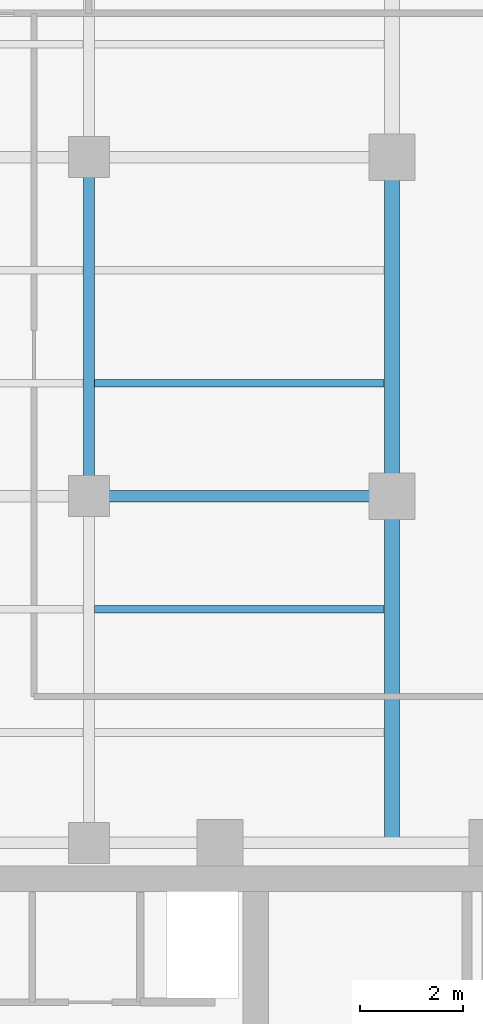
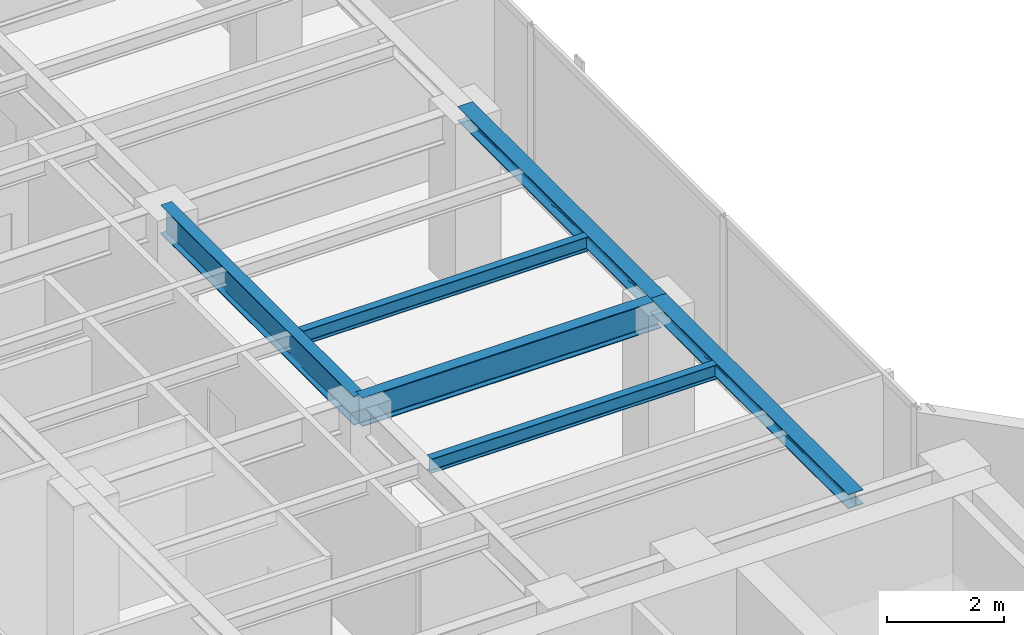
# One storey, part 9 of 24: 6 beams.
"""IFC4 building model written with IfcOpenShell, lengths in metres."""

from ifc_helpers import new_model, si_unit, direction, frame, origin, origin_2d, place, context, subcontext, project, spatial, i_section, extrude, material, material_profile, profile_set, type_object, element, save


model = new_model("IFC4")

# Units and contexts
model_context = context("Model", 3, precision=1e-05, world=origin(), true_north=direction((0.0, 1.0)))
body_context = subcontext(model_context, "Body", "Model", "MODEL_VIEW")
ifc_project = project(units=[si_unit("LENGTHUNIT", "METRE"), si_unit("AREAUNIT", "SQUARE_METRE"), si_unit("VOLUMEUNIT", "CUBIC_METRE"), si_unit("PLANEANGLEUNIT", "RADIAN"), si_unit("MASSUNIT", "GRAM", prefix="KILO")], contexts=[model_context])

# Site, building, storey
site_placement = place(None, origin())
site = spatial("IfcSite", under=ifc_project, at=site_placement, CompositionType="ELEMENT")
building_placement = place(site_placement, origin())
building = spatial("IfcBuilding", under=site, at=building_placement, Name="Kolvaren Waterfront Exchange", CompositionType="ELEMENT")
storey_placement = place(building_placement, frame((0.0, 0.0, 331.199951171875)))
storey = spatial("IfcBuildingStorey", under=building, at=storey_placement, Name="L85", CompositionType="ELEMENT", Elevation=331.199951171875)

# Beams
ifc_material = material(Name="Steel S355", Category="steel")
ifc_material_profile_1 = material_profile(ifc_material, i_section(OverallWidth=0.300048828125, OverallDepth=0.300048828125, WebThickness=0.010986328125, FlangeThickness=0.01904296875, FilletRadius=0.027099609375, at=origin_2d()), Name="HEB300")
ifc_profile_set_1 = profile_set([ifc_material_profile_1], Name="Steel S355")
beam_type_1 = type_object("IfcBeamType", Name="STR-BM-HEB300", PredefinedType="SPANDREL", material=ifc_profile_set_1)
beam_1_placement = place(storey_placement, frame((18.800048828125, 24.449951171875, 3.41015625), z_axis=(0.0, 1.0, 0.0), x_axis=(-1.0, 0.0, 0.0)))
element("IfcBeam", 1, at=beam_1_placement, inside=storey, type_object=beam_type_1, Name="L85 north-arm edge beam 1", PredefinedType="SPANDREL", context=body_context, shape_type="SweptSolid", body=[
    extrude(i_section(OverallWidth=0.300048828125, OverallDepth=0.300048828125, WebThickness=0.010986328125, FlangeThickness=0.01904296875, FilletRadius=0.027099609375, at=origin_2d()), origin(), (0.0, 0.0, 1.0), 6.75),
])
beam_2_placement = place(storey_placement, frame((18.800048828125, 31.199951171875, 3.41015625), z_axis=(0.0, 1.0, 0.0), x_axis=(-1.0, 0.0, 0.0)))
element("IfcBeam", 2, at=beam_2_placement, inside=storey, type_object=beam_type_1, Name="L85 north-arm edge beam 2", PredefinedType="SPANDREL", context=body_context, shape_type="SweptSolid", body=[
    extrude(i_section(OverallWidth=0.300048828125, OverallDepth=0.300048828125, WebThickness=0.010986328125, FlangeThickness=0.01904296875, FilletRadius=0.027099609375, at=origin_2d()), origin(), (0.0, 0.0, 1.0), 6.60009765625),
])
ifc_material_profile_2 = material_profile(ifc_material, i_section(OverallWidth=0.14990234375, OverallDepth=0.300048828125, WebThickness=0.007080078125, FlangeThickness=0.0107421875, FilletRadius=0.014892578125, at=origin_2d()), Name="IPE300")
ifc_profile_set_2 = profile_set([ifc_material_profile_2], Name="Steel S355")
beam_type_2 = type_object("IfcBeamType", Name="STR-BM-IPE300", PredefinedType="JOIST", material=ifc_profile_set_2)
for number, where, z_axis, x_axis, name in (
    (3, (13.011962890625, 29.0, 3.41015625), (1.0, 0.0, 0.0), (0.0, 1.0, 0.0), "L85 north-arm composite joist 2B"),
    (4, (13.011962890625, 33.39990234375, 3.41015625), (1.0, 0.0, 0.0), (0.0, 1.0, 0.0), "L85 north-arm composite joist 3B"),
):
    element("IfcBeam", number, at=place(storey_placement, frame(where, z_axis=z_axis, x_axis=x_axis)), inside=storey, type_object=beam_type_2, Name=name, PredefinedType="JOIST", context=body_context, shape_type="SweptSolid", body=[
        extrude(i_section(OverallWidth=0.14990234375, OverallDepth=0.300048828125, WebThickness=0.007080078125, FlangeThickness=0.0107421875, FilletRadius=0.014892578125, at=origin_2d()), origin(), (0.0, 0.0, 1.0), 5.635986328125),
    ])
ifc_material_profile_3 = material_profile(ifc_material, i_section(OverallWidth=0.219970703125, OverallDepth=0.60009765625, WebThickness=0.011962890625, FlangeThickness=0.01904296875, FilletRadius=0.02392578125, at=origin_2d()), Name="IPE600")
ifc_profile_set_3 = profile_set([ifc_material_profile_3], Name="Steel S355")
beam_type_3 = type_object("IfcBeamType", Name="STR-BM-IPE600", PredefinedType="BEAM", material=ifc_profile_set_3)
beam_3_placement = place(storey_placement, frame((12.89990234375, 31.199951171875, 3.260009765625), z_axis=(1.0, 0.0, 0.0), x_axis=(0.0, 1.0, 0.0)))
element("IfcBeam", 5, at=beam_3_placement, inside=storey, type_object=beam_type_3, Name="L85 north-arm girder 2B", PredefinedType="BEAM", context=body_context, shape_type="SweptSolid", body=[
    extrude(i_section(OverallWidth=0.219970703125, OverallDepth=0.60009765625, WebThickness=0.011962890625, FlangeThickness=0.01904296875, FilletRadius=0.02392578125, at=origin_2d()), origin(), (0.0, 0.0, 1.0), 5.900146484375),
])
beam_4_placement = place(storey_placement, frame((12.89990234375, 31.199951171875, 3.260009765625), z_axis=(0.0, 1.0, 0.0), x_axis=(-1.0, 0.0, 0.0)))
element("IfcBeam", 6, at=beam_4_placement, inside=storey, type_object=beam_type_3, Name="L85 north-arm edge beam 2", PredefinedType="BEAM", context=body_context, shape_type="SweptSolid", body=[
    extrude(i_section(OverallWidth=0.219970703125, OverallDepth=0.60009765625, WebThickness=0.011962890625, FlangeThickness=0.01904296875, FilletRadius=0.02392578125, at=origin_2d()), origin(), (0.0, 0.0, 1.0), 6.60009765625),
])

save(model, "model.ifc")
